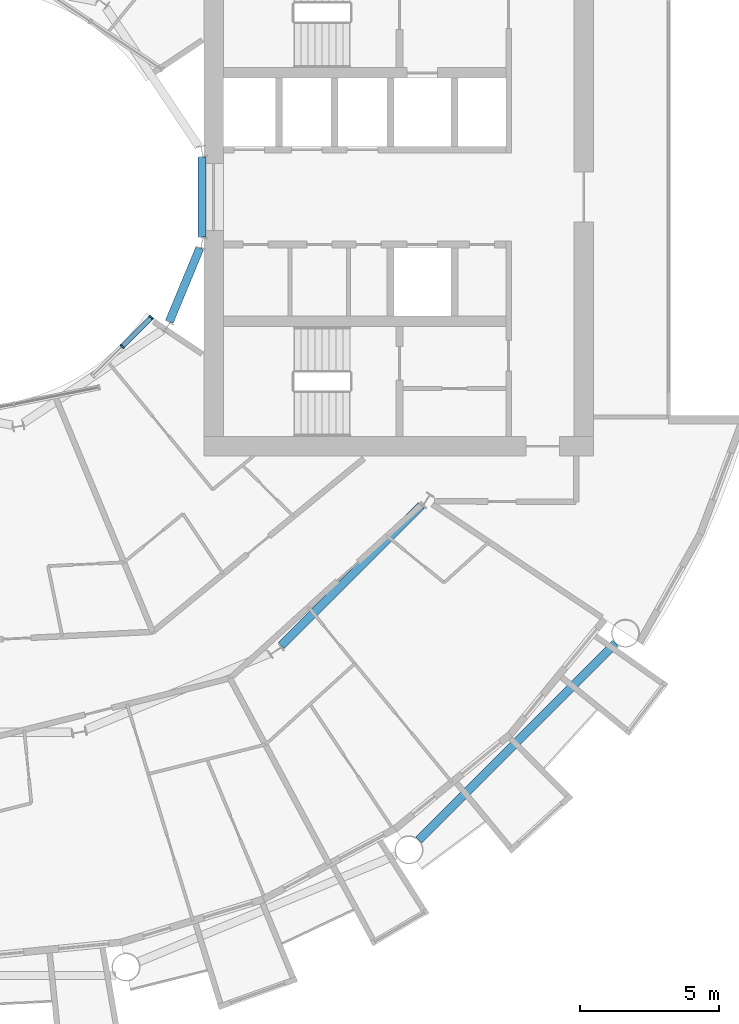
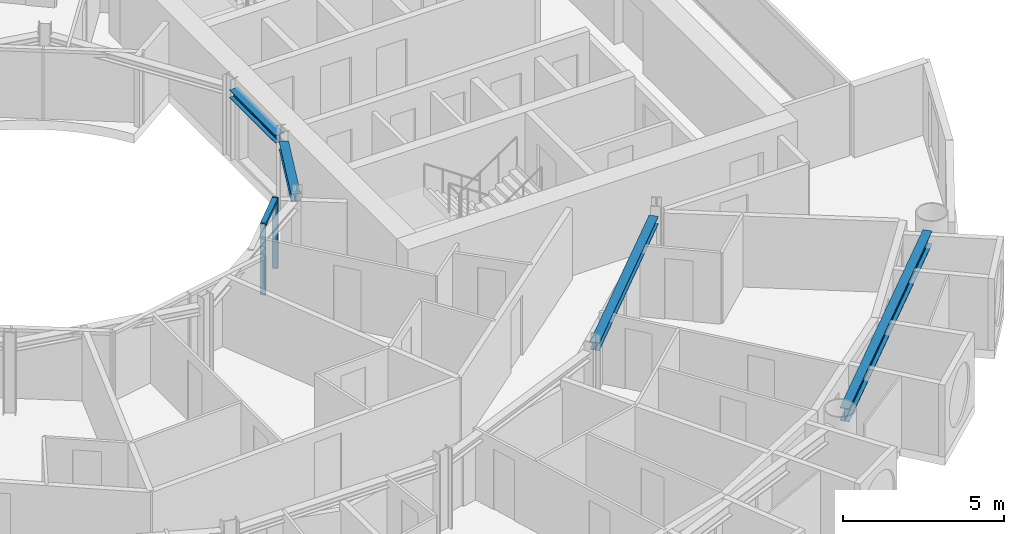
# One storey, part 6 of 26: 4 beams, 3 members, 1 element without a shape of its own.
"""IFC4 building model written with IfcOpenShell, lengths in metres."""

from ifc_helpers import new_model, si_unit, direction, frame, origin, origin_2d, place, context, subcontext, project, spatial, rectangle, i_section, extrude, material, layer, layer_set, material_profile, profile_set, type_object, element, aggregate, save


model = new_model("IFC4")

# Units and contexts
model_context = context("Model", 3, precision=1e-05, world=origin(), true_north=direction((0.0, 1.0)))
body_context = subcontext(model_context, "Body", "Model", "MODEL_VIEW")
ifc_project = project(units=[si_unit("LENGTHUNIT", "METRE"), si_unit("AREAUNIT", "SQUARE_METRE"), si_unit("VOLUMEUNIT", "CUBIC_METRE"), si_unit("PLANEANGLEUNIT", "RADIAN"), si_unit("MASSUNIT", "GRAM", prefix="KILO")], contexts=[model_context])

# Site, building, storey
site_placement = place(None, origin())
site = spatial("IfcSite", under=ifc_project, at=site_placement, CompositionType="ELEMENT")
building_placement = place(site_placement, origin())
building = spatial("IfcBuilding", under=site, at=building_placement, Name="Maasbend Ring Residences", CompositionType="ELEMENT")
storey_placement = place(building_placement, frame((0.0, 0.0, 81.89990234375)))
storey = spatial("IfcBuildingStorey", under=building, at=storey_placement, Name="L23", CompositionType="ELEMENT", Elevation=81.89990234375)

# Curtain wall, members
ifc_material_1 = material(Name="Aluminium and clear glass", Category="aluminium")
ifc_layer = layer(ifc_material_1, 0.179931640625)
ifc_layer_set = layer_set([ifc_layer], Name="CW-W")
curtain_wall_type = type_object("IfcCurtainWallType", Name="CW-W", PredefinedType="NOTDEFINED", material=ifc_layer_set)
curtain_wall_placement = place(storey_placement, origin())
curtain_wall = element("IfcCurtainWall", 1, at=curtain_wall_placement, inside=storey, type_object=curtain_wall_type, Name="Well curtain wall S3", PredefinedType="NOTDEFINED")
ifc_material_2 = material(Name="Aluminium 6063-T6", Category="aluminium")
ifc_material_profile_1 = material_profile(ifc_material_2, rectangle(XDim=0.179931640625, YDim=0.06005859375, at=origin_2d()), Name="AL 180x60")
ifc_profile_set_1 = profile_set([ifc_material_profile_1], Name="Aluminium 6063-T6")
member_type_1 = type_object("IfcMemberType", Name="CWM-W", PredefinedType="MULLION", material=ifc_profile_set_1)
member_1_placement = place(storey_placement, frame((5.366943359375, -5.366943359375, 0.0), z_axis=(0.0, 0.0, 1.0), x_axis=(-0.707106781187, 0.707106781187, 0.0)))
member_1 = element("IfcMember", 2, at=member_1_placement, type_object=member_type_1, Name="Mullion well face", PredefinedType="MULLION", context=body_context, shape_type="SweptSolid", body=[
    extrude(rectangle(XDim=0.179931640625, YDim=0.06005859375, at=origin_2d()), origin(), (0.0, 0.0, 1.0), 2.7001953125),
])
member_2_placement = place(storey_placement, frame((6.413330078125, -4.320556640625, 0.0), z_axis=(0.0, 0.0, 1.0), x_axis=(-0.707106781187, 0.707106781187, 0.0)))
member_2 = element("IfcMember", 3, at=member_2_placement, type_object=member_type_1, Name="Mullion well face", PredefinedType="MULLION", context=body_context, shape_type="SweptSolid", body=[
    extrude(rectangle(XDim=0.179931640625, YDim=0.06005859375, at=origin_2d()), origin(), (0.0, 0.0, 1.0), 2.7001953125),
])
ifc_material_3 = material(Name="Aluminium 6063-T6", Category="aluminium")
ifc_material_profile_2 = material_profile(ifc_material_3, rectangle(XDim=0.179931640625, YDim=0.1201171875, at=origin_2d()), Name="AL 180x120")
ifc_profile_set_2 = profile_set([ifc_material_profile_2], Name="Aluminium 6063-T6")
member_type_2 = type_object("IfcMemberType", Name="CWT-W", PredefinedType="USERDEFINED", material=ifc_profile_set_2)
member_3_placement = place(storey_placement, frame((5.38818359375, -5.345703125, 2.64013671875), z_axis=(0.707106781187, 0.707106781187, 0.0), x_axis=(-0.707106781187, 0.707106781187, 0.0)))
member_3 = element("IfcMember", 4, at=member_3_placement, type_object=member_type_2, Name="Transom well face", ObjectType="TRANSOM", PredefinedType="USERDEFINED", context=body_context, shape_type="SweptSolid", body=[
    extrude(rectangle(XDim=0.179931640625, YDim=0.1201171875, at=origin_2d()), origin(), (0.0, 0.0, 1.0), 1.419677734375),
])
aggregate(curtain_wall, [member_1, member_2, member_3])

# Beams
ifc_material_4 = material(Name="Steel S355J2", Category="steel")
ifc_material_profile_3 = material_profile(ifc_material_4, i_section(OverallWidth=0.300048828125, OverallDepth=0.300048828125, WebThickness=0.010986328125, FlangeThickness=0.01904296875, FilletRadius=0.027099609375, at=origin_2d()), Name="HEB 300")
ifc_profile_set_3 = profile_set([ifc_material_profile_3], Name="Steel S355J2")
beam_type_1 = type_object("IfcBeamType", Name="Corridor ring beam HEB 300", PredefinedType="BEAM", material=ifc_profile_set_3)
beam_1_placement = place(storey_placement, frame((11.078125, -16.10791015625, 2.550048828125), z_axis=(0.707106781187, 0.707106781187, 0.0), x_axis=(-0.707106781187, 0.707106781187, 0.0)))
element("IfcBeam", 5, at=beam_1_placement, inside=storey, type_object=beam_type_1, Name="Corridor ring beam", PredefinedType="BEAM", context=body_context, shape_type="SweptSolid", body=[
    extrude(i_section(OverallWidth=0.300048828125, OverallDepth=0.300048828125, WebThickness=0.010986328125, FlangeThickness=0.01904296875, FilletRadius=0.027099609375, at=origin_2d()), origin(), (0.0, 0.0, 1.0), 7.11328125),
])
ifc_material_5 = material(Name="Steel S355J2", Category="steel")
ifc_material_profile_4 = material_profile(ifc_material_5, i_section(OverallWidth=0.300048828125, OverallDepth=0.5, WebThickness=0.014404296875, FlangeThickness=0.028076171875, FilletRadius=0.027099609375, at=origin_2d()), Name="HEB 500")
ifc_profile_set_4 = profile_set([ifc_material_profile_4], Name="Steel S355J2")
beam_type_2 = type_object("IfcBeamType", Name="Spandrel ring beam HEB 500", PredefinedType="SPANDREL", material=ifc_profile_set_4)
beam_2_placement = place(storey_placement, frame((16.0263671875, -23.088134765625, 2.4501953125), z_axis=(0.707106781187, 0.707106781187, 0.0), x_axis=(-0.707106781187, 0.707106781187, 0.0)))
element("IfcBeam", 6, at=beam_2_placement, inside=storey, type_object=beam_type_2, Name="Spandrel ring beam", PredefinedType="SPANDREL", context=body_context, shape_type="SweptSolid", body=[
    extrude(i_section(OverallWidth=0.300048828125, OverallDepth=0.5, WebThickness=0.014404296875, FlangeThickness=0.028076171875, FilletRadius=0.027099609375, at=origin_2d()), origin(), (0.0, 0.0, 1.0), 9.98681640625),
])
ifc_material_6 = material(Name="Steel S355J2", Category="steel")
ifc_material_profile_5 = material_profile(ifc_material_6, i_section(OverallWidth=0.300048828125, OverallDepth=0.300048828125, WebThickness=0.010986328125, FlangeThickness=0.01904296875, FilletRadius=0.027099609375, at=origin_2d()), Name="HEB 300")
ifc_profile_set_5 = profile_set([ifc_material_profile_5], Name="Steel S355J2")
beam_type_3 = type_object("IfcBeamType", Name="Well edge beam HEB 300", PredefinedType="BEAM", material=ifc_profile_set_5)
beam_3_placement = place(storey_placement, frame((7.062255859375, -4.478515625, 2.550048828125), z_axis=(0.382729955172, 0.923860260761, 0.0), x_axis=(-0.923860260761, 0.382729955172, 0.0)))
element("IfcBeam", 7, at=beam_3_placement, inside=storey, type_object=beam_type_3, Name="Well edge beam", PredefinedType="BEAM", context=body_context, shape_type="SweptSolid", body=[
    extrude(i_section(OverallWidth=0.300048828125, OverallDepth=0.300048828125, WebThickness=0.010986328125, FlangeThickness=0.01904296875, FilletRadius=0.027099609375, at=origin_2d()), origin(), (0.0, 0.0, 1.0), 2.869873046875),
])
beam_4_placement = place(storey_placement, frame((8.238525390625, -1.434814453125, 2.550048828125), z_axis=(0.0, 1.0, 0.0), x_axis=(-1.0, 0.0, 0.0)))
element("IfcBeam", 8, at=beam_4_placement, inside=storey, type_object=beam_type_3, Name="Well edge beam", PredefinedType="BEAM", context=body_context, shape_type="SweptSolid", body=[
    extrude(i_section(OverallWidth=0.300048828125, OverallDepth=0.300048828125, WebThickness=0.010986328125, FlangeThickness=0.01904296875, FilletRadius=0.027099609375, at=origin_2d()), origin(), (0.0, 0.0, 1.0), 2.86962890625),
])

save(model, "model.ifc")
